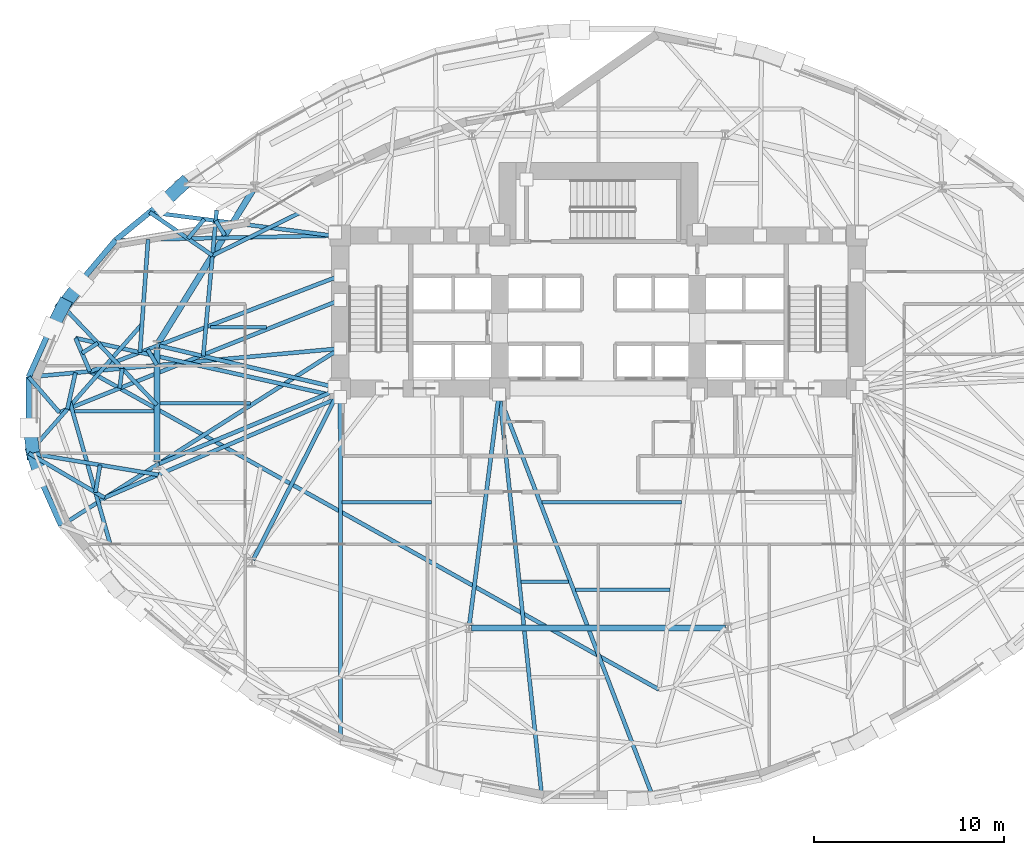
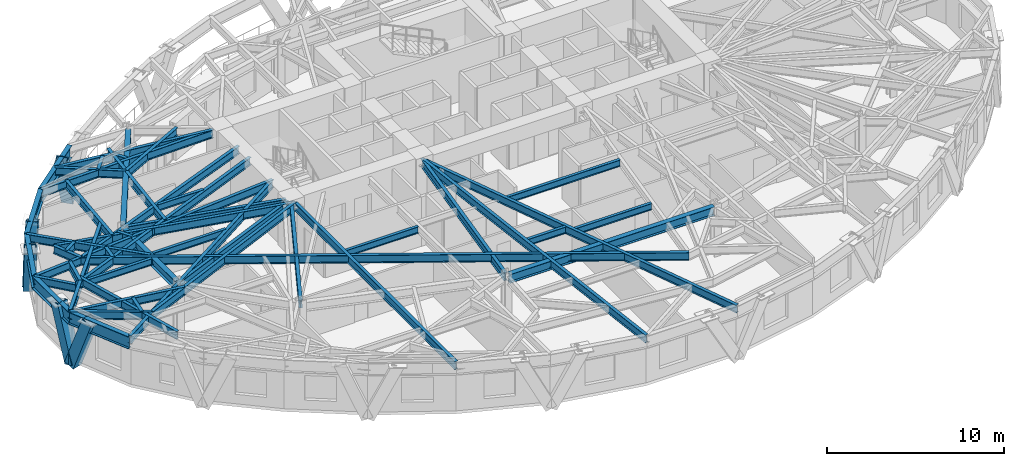
# One storey, part 2 of 17: 49 beams, 5 members.
"""IFC4 building model written with IfcOpenShell, lengths in metres."""

from ifc_helpers import new_model, si_unit, direction, frame, origin, origin_2d, place, context, subcontext, project, spatial, hollow_rectangle, i_section, extrude, material, material_profile, profile_set, type_object, element, save


model = new_model("IFC4")

# Units and contexts
model_context = context("Model", 3, precision=1e-05, world=origin(), true_north=direction((0.0, 1.0)))
body_context = subcontext(model_context, "Body", "Model", "MODEL_VIEW")
ifc_project = project(units=[si_unit("LENGTHUNIT", "METRE"), si_unit("AREAUNIT", "SQUARE_METRE"), si_unit("VOLUMEUNIT", "CUBIC_METRE"), si_unit("PLANEANGLEUNIT", "RADIAN"), si_unit("MASSUNIT", "GRAM", prefix="KILO")], contexts=[model_context])

# Site, building, storey
site_placement = place(None, origin())
site = spatial("IfcSite", under=ifc_project, at=site_placement, CompositionType="ELEMENT")
building_placement = place(site_placement, origin())
building = spatial("IfcBuilding", under=site, at=building_placement, Name="Keldmark Tower", CompositionType="ELEMENT")
storey_placement = place(building_placement, frame((0.0, 0.0, 70.199951171875)))
storey = spatial("IfcBuildingStorey", under=building, at=storey_placement, Name="L18", CompositionType="ELEMENT", Elevation=70.199951171875)

# Beams
ifc_material_1 = material(Name="Steel ASTM A992 Grade 50", Category="steel")
ifc_material_profile_1 = material_profile(ifc_material_1, i_section(OverallWidth=0.19091796875, OverallDepth=0.45703125, WebThickness=0.009033203125, FlangeThickness=0.014404296875, at=origin_2d()), Name="W18X50")
ifc_profile_set_1 = profile_set([ifc_material_profile_1], Name="Steel ASTM A992 Grade 50")
beam_type_1 = type_object("IfcBeamType", Name="Composite Floor Joist W18X50", PredefinedType="JOIST", material=ifc_profile_set_1)
beam_1_placement = place(storey_placement, frame((-4.077880859375, -8.780029296875, 3.171630859375), z_axis=(1.0, 0.0, 0.0), x_axis=(0.0, 1.0, 0.0)))
element("IfcBeam", 1, at=beam_1_placement, inside=storey, type_object=beam_type_1, Name="L18 Composite Floor Joist J05", PredefinedType="JOIST", context=body_context, shape_type="SweptSolid", body=[
    extrude(i_section(OverallWidth=0.19091796875, OverallDepth=0.45703125, WebThickness=0.009033203125, FlangeThickness=0.014404296875, at=origin_2d()), origin(), (0.0, 0.0, 1.0), 2.5009765625),
])
beam_2_placement = place(storey_placement, frame((-1.209716796875, -9.199951171875, 3.171630859375), z_axis=(1.0, 0.0, 0.0), x_axis=(0.0, 1.0, 0.0)))
element("IfcBeam", 2, at=beam_2_placement, inside=storey, type_object=beam_type_1, Name="L18 Composite Floor Joist J06", PredefinedType="JOIST", context=body_context, shape_type="SweptSolid", body=[
    extrude(i_section(OverallWidth=0.19091796875, OverallDepth=0.45703125, WebThickness=0.009033203125, FlangeThickness=0.014404296875, at=origin_2d()), origin(), (0.0, 0.0, 1.0), 4.9873046875),
])
beam_3_placement = place(storey_placement, frame((-13.501220703125, -4.60009765625, 3.171630859375), z_axis=(1.0, 0.0, 0.0), x_axis=(0.0, 1.0, 0.0)))
element("IfcBeam", 3, at=beam_3_placement, inside=storey, type_object=beam_type_1, Name="L18 Composite Floor Joist J10", PredefinedType="JOIST", context=body_context, shape_type="SweptSolid", body=[
    extrude(i_section(OverallWidth=0.19091796875, OverallDepth=0.45703125, WebThickness=0.009033203125, FlangeThickness=0.014404296875, at=origin_2d()), origin(), (0.0, 0.0, 1.0), 4.7138671875),
])
beam_4_placement = place(storey_placement, frame((-2.971435546875, -4.60009765625, 3.171630859375), z_axis=(1.0, 0.0, 0.0), x_axis=(0.0, 1.0, 0.0)))
element("IfcBeam", 4, at=beam_4_placement, inside=storey, type_object=beam_type_1, Name="L18 Composite Floor Joist J12", PredefinedType="JOIST", context=body_context, shape_type="SweptSolid", body=[
    extrude(i_section(OverallWidth=0.19091796875, OverallDepth=0.45703125, WebThickness=0.009033203125, FlangeThickness=0.014404296875, at=origin_2d()), origin(), (0.0, 0.0, 1.0), 7.349853515625),
])
beam_5_placement = place(storey_placement, frame((-27.5966796875, 0.199951171875, 3.171630859375), z_axis=(1.0, 0.0, 0.0), x_axis=(0.0, 1.0, 0.0)))
element("IfcBeam", 5, at=beam_5_placement, inside=storey, type_object=beam_type_1, Name="L18 Composite Floor Joist J16", PredefinedType="JOIST", context=body_context, shape_type="SweptSolid", body=[
    extrude(i_section(OverallWidth=0.19091796875, OverallDepth=0.45703125, WebThickness=0.009033203125, FlangeThickness=0.014404296875, at=origin_2d()), origin(), (0.0, 0.0, 1.0), 4.189697265625),
])
beam_6_placement = place(storey_placement, frame((-23.10107421875, 0.6201171875, 3.171630859375), z_axis=(1.0, 0.0, 0.0), x_axis=(0.0, 1.0, 0.0)))
element("IfcBeam", 6, at=beam_6_placement, inside=storey, type_object=beam_type_1, Name="L18 Composite Floor Joist J17", PredefinedType="JOIST", context=body_context, shape_type="SweptSolid", body=[
    extrude(i_section(OverallWidth=0.19091796875, OverallDepth=0.45703125, WebThickness=0.009033203125, FlangeThickness=0.014404296875, at=origin_2d()), origin(), (0.0, 0.0, 1.0), 4.7685546875),
])
beam_7_placement = place(storey_placement, frame((-20.423583984375, 4.6201171875, 3.171630859375), z_axis=(1.0, 0.0, 0.0), x_axis=(0.0, 1.0, 0.0)))
element("IfcBeam", 7, at=beam_7_placement, inside=storey, type_object=beam_type_1, Name="L18 Composite Floor Joist J19", PredefinedType="JOIST", context=body_context, shape_type="SweptSolid", body=[
    extrude(i_section(OverallWidth=0.19091796875, OverallDepth=0.45703125, WebThickness=0.009033203125, FlangeThickness=0.014404296875, at=origin_2d()), origin(), (0.0, 0.0, 1.0), 2.948974609375),
])

# Members
ifc_material_2 = material(Name="Steel ASTM A572 Grade 50", Category="steel")
ifc_material_profile_2 = material_profile(ifc_material_2, hollow_rectangle(XDim=0.699951171875, YDim=0.699951171875, WallThickness=0.054931640625, at=origin_2d()), Name="BOX700X700X55")
ifc_profile_set_2 = profile_set([ifc_material_profile_2], Name="Steel ASTM A572 Grade 50")
member_type = type_object("IfcMemberType", Name="Diagrid Zone 1 Brace BOX700X700X55", PredefinedType="BRACE", material=ifc_profile_set_2)
member_1_placement = place(storey_placement, frame((-21.886474609375, 12.167236328125, -0.280029296875), z_axis=(-0.284762912744, -0.266831057485, 0.920712371095), x_axis=(0.68375811759, -0.729708734106, 0.0)))
element("IfcMember", 8, at=member_1_placement, inside=storey, type_object=member_type, Name="L18 Perimeter Diagrid Brace 07A", PredefinedType="BRACE", context=body_context, shape_type="SweptSolid", body=[
    extrude(hollow_rectangle(XDim=0.699951171875, YDim=0.699951171875, WallThickness=0.054931640625, at=origin_2d()), origin(), (0.0, 0.0, 1.0), 3.86669921875),
])
member_2_placement = place(storey_placement, frame((-28.1669921875, 5.7763671875, -0.280029296875), z_axis=(0.229046719928, 0.298618469809, 0.926479686544), x_axis=(-0.793470479342, 0.608608740006, 0.0)))
element("IfcMember", 9, at=member_2_placement, inside=storey, type_object=member_type, Name="L18 Perimeter Diagrid Brace 07B", PredefinedType="BRACE", context=body_context, shape_type="SweptSolid", body=[
    extrude(hollow_rectangle(XDim=0.699951171875, YDim=0.699951171875, WallThickness=0.054931640625, at=origin_2d()), origin(), (0.0, 0.0, 1.0), 3.842529296875),
])
member_3_placement = place(storey_placement, frame((-28.16259765625, 5.787109375, -0.280029296875), z_axis=(-0.168600642069, -0.328022269977, 0.929502670191), x_axis=(0.889394222304, -0.45714102565, 0.0)))
element("IfcMember", 10, at=member_3_placement, inside=storey, type_object=member_type, Name="L18 Perimeter Diagrid Brace 08A", PredefinedType="BRACE", context=body_context, shape_type="SweptSolid", body=[
    extrude(hollow_rectangle(XDim=0.699951171875, YDim=0.699951171875, WallThickness=0.054931640625, at=origin_2d()), origin(), (0.0, 0.0, 1.0), 3.830078125),
])
member_4_placement = place(storey_placement, frame((-29.77587890625, -1.99853515625, -0.280029296875), z_axis=(-0.044304352331, 0.348399153259, 0.936298645931), x_axis=(-0.992011228554, -0.126149603336, 0.0)))
element("IfcMember", 11, at=member_4_placement, inside=storey, type_object=member_type, Name="L18 Perimeter Diagrid Brace 08B", PredefinedType="BRACE", context=body_context, shape_type="SweptSolid", body=[
    extrude(hollow_rectangle(XDim=0.699951171875, YDim=0.699951171875, WallThickness=0.054931640625, at=origin_2d()), origin(), (0.0, 0.0, 1.0), 3.80224609375),
])
member_5_placement = place(storey_placement, frame((-29.77587890625, -1.98681640625, -0.280029296875), z_axis=(0.10528035046, -0.33720507131, 0.935525941751), x_axis=(0.954557502887, 0.298026800274, 0.0)))
element("IfcMember", 12, at=member_5_placement, inside=storey, type_object=member_type, Name="L18 Perimeter Diagrid Brace 09A", PredefinedType="BRACE", context=body_context, shape_type="SweptSolid", body=[
    extrude(hollow_rectangle(XDim=0.699951171875, YDim=0.699951171875, WallThickness=0.054931640625, at=origin_2d()), origin(), (0.0, 0.0, 1.0), 3.805419921875),
])

# Beams
ifc_material_3 = material(Name="Steel ASTM A992 Grade 50", Category="steel")
ifc_material_profile_3 = material_profile(ifc_material_3, i_section(OverallWidth=0.323974609375, OverallDepth=0.611083984375, WebThickness=0.0126953125, FlangeThickness=0.01904296875, at=origin_2d()), Name="W24X104")
ifc_profile_set_3 = profile_set([ifc_material_profile_3], Name="Steel ASTM A992 Grade 50")
beam_type_2 = type_object("IfcBeamType", Name="Primary Floor Girder W24X104", PredefinedType="BEAM", material=ifc_profile_set_3)
beam_8_placement = place(storey_placement, frame((-18.17138671875, 11.888427734375, 3.094482421875), z_axis=(-0.526318405849, -0.850287560573, 0.0), x_axis=(0.850287560573, -0.526318405849, 0.0)))
element("IfcBeam", 13, at=beam_8_placement, inside=storey, type_object=beam_type_2, Name="L18 Floor Ring Girder FG-R05", PredefinedType="BEAM", context=body_context, shape_type="SweptSolid", body=[
    extrude(i_section(OverallWidth=0.323974609375, OverallDepth=0.611083984375, WebThickness=0.0126953125, FlangeThickness=0.01904296875, at=origin_2d()), origin(), (0.0, 0.0, 1.0), 9.51708984375),
])
beam_9_placement = place(storey_placement, frame((-23.25390625, 3.537109375, 3.094482421875), z_axis=(0.0, -1.0, 0.0), x_axis=(1.0, 0.0, 0.0)))
element("IfcBeam", 14, at=beam_9_placement, inside=storey, type_object=beam_type_2, Name="L18 Floor Ring Girder FG-R06", PredefinedType="BEAM", context=body_context, shape_type="SweptSolid", body=[
    extrude(i_section(OverallWidth=0.323974609375, OverallDepth=0.611083984375, WebThickness=0.0126953125, FlangeThickness=0.01904296875, at=origin_2d()), origin(), (0.0, 0.0, 1.0), 6.01025390625),
])
beam_10_placement = place(storey_placement, frame((-6.68212890625, -11.205810546875, 3.094482421875), z_axis=(1.0, 0.0, 0.0), x_axis=(0.0, 1.0, 0.0)))
element("IfcBeam", 15, at=beam_10_placement, inside=storey, type_object=beam_type_2, Name="L18 Floor Ring Girder FG-R09", PredefinedType="BEAM", context=body_context, shape_type="SweptSolid", body=[
    extrude(i_section(OverallWidth=0.323974609375, OverallDepth=0.611083984375, WebThickness=0.0126953125, FlangeThickness=0.01904296875, at=origin_2d()), origin(), (0.0, 0.0, 1.0), 13.3642578125),
])
ifc_material_4 = material(Name="Steel ASTM A992 Grade 50", Category="steel")
ifc_material_profile_4 = material_profile(ifc_material_4, i_section(OverallWidth=0.2099609375, OverallDepth=0.537109375, WebThickness=0.010986328125, FlangeThickness=0.017333984375, at=origin_2d()), Name="W21X68")
ifc_profile_set_4 = profile_set([ifc_material_profile_4], Name="Steel ASTM A992 Grade 50")
beam_type_3 = type_object("IfcBeamType", Name="Radial Tie Girder W21X68", PredefinedType="BEAM", material=ifc_profile_set_4)
beam_11_placement = place(storey_placement, frame((-15.72216796875, 10.65673828125, 3.131591796875), z_axis=(-0.898316295286, -0.439349329832, 0.0), x_axis=(0.439349329832, -0.898316295286, 0.0)))
element("IfcBeam", 16, at=beam_11_placement, inside=storey, type_object=beam_type_3, Name="L18 Framing Pin Header PH-004", PredefinedType="BEAM", context=body_context, shape_type="SweptSolid", body=[
    extrude(i_section(OverallWidth=0.2099609375, OverallDepth=0.537109375, WebThickness=0.010986328125, FlangeThickness=0.017333984375, at=origin_2d()), origin(), (0.0, 0.0, 1.0), 5.12744140625),
])
beam_12_placement = place(storey_placement, frame((-20.816162109375, 3.102294921875, 3.131591796875), z_axis=(0.091667937823, 0.995789630984, 0.0), x_axis=(-0.995789630984, 0.091667937823, 0.0)))
element("IfcBeam", 17, at=beam_12_placement, inside=storey, type_object=beam_type_3, Name="L18 Sub-Ring Step Girder STP1-M06", PredefinedType="BEAM", context=body_context, shape_type="SweptSolid", body=[
    extrude(i_section(OverallWidth=0.2099609375, OverallDepth=0.537109375, WebThickness=0.010986328125, FlangeThickness=0.017333984375, at=origin_2d()), origin(), (0.0, 0.0, 1.0), 7.71826171875),
])
beam_13_placement = place(storey_placement, frame((-23.25390625, 2.635498046875, 3.131591796875), z_axis=(-0.514156651205, 0.857696297078, 0.0), x_axis=(-0.857696297078, -0.514156651205, 0.0)))
element("IfcBeam", 18, at=beam_13_placement, inside=storey, type_object=beam_type_3, Name="L18 Framing Pin Header PH-007", PredefinedType="BEAM", context=body_context, shape_type="SweptSolid", body=[
    extrude(i_section(OverallWidth=0.2099609375, OverallDepth=0.537109375, WebThickness=0.010986328125, FlangeThickness=0.017333984375, at=origin_2d()), origin(), (0.0, 0.0, 1.0), 0.952880859375),
])
beam_14_placement = place(storey_placement, frame((-13.60009765625, 7.343017578125, 3.131591796875), z_axis=(-0.933701225178, -0.358053099555, 0.0), x_axis=(0.358053099555, -0.933701225178, 0.0)))
element("IfcBeam", 19, at=beam_14_placement, inside=storey, type_object=beam_type_3, Name="L18 Sub-Ring Step Girder STP2-M07", PredefinedType="BEAM", context=body_context, shape_type="SweptSolid", body=[
    extrude(i_section(OverallWidth=0.2099609375, OverallDepth=0.537109375, WebThickness=0.010986328125, FlangeThickness=0.017333984375, at=origin_2d()), origin(), (0.0, 0.0, 1.0), 14.119140625),
])
beam_15_placement = place(storey_placement, frame((-26.783203125, 2.28759765625, 3.131591796875), z_axis=(0.873009651304, -0.487702930819, 0.0), x_axis=(0.487702930819, 0.873009651304, 0.0)))
element("IfcBeam", 20, at=beam_15_placement, inside=storey, type_object=beam_type_3, Name="L18 Perimeter Collector Ring Beam CRG2-M07", PredefinedType="BEAM", context=body_context, shape_type="SweptSolid", body=[
    extrude(i_section(OverallWidth=0.2099609375, OverallDepth=0.537109375, WebThickness=0.010986328125, FlangeThickness=0.017333984375, at=origin_2d()), origin(), (0.0, 0.0, 1.0), 34.3310546875),
])
beam_16_placement = place(storey_placement, frame((-19.674072265625, 9.460693359375, 3.131591796875), z_axis=(-0.53021468629, 0.847863424404, 0.0), x_axis=(-0.847863424404, -0.53021468629, 0.0)))
element("IfcBeam", 21, at=beam_16_placement, inside=storey, type_object=beam_type_3, Name="L18 Framing Pin Header PH-023", PredefinedType="BEAM", context=body_context, shape_type="SweptSolid", body=[
    extrude(i_section(OverallWidth=0.2099609375, OverallDepth=0.537109375, WebThickness=0.010986328125, FlangeThickness=0.017333984375, at=origin_2d()), origin(), (0.0, 0.0, 1.0), 0.915283203125),
])
beam_17_placement = place(storey_placement, frame((-14.050048828125, 9.449951171875, 3.131591796875), z_axis=(-0.99180753315, 0.127741211783, 0.0), x_axis=(-0.127741211783, -0.99180753315, 0.0)))
element("IfcBeam", 22, at=beam_17_placement, inside=storey, type_object=beam_type_3, Name="L18 Intermediate Radial Step Girder RT-14M", PredefinedType="BEAM", context=body_context, shape_type="SweptSolid", body=[
    extrude(i_section(OverallWidth=0.2099609375, OverallDepth=0.537109375, WebThickness=0.010986328125, FlangeThickness=0.017333984375, at=origin_2d()), origin(), (0.0, 0.0, 1.0), 9.6611328125),
])
beam_18_placement = place(storey_placement, frame((-20.328125, 8.404052734375, 3.131591796875), z_axis=(-0.823045146227, 0.567975956596, 0.0), x_axis=(-0.567975956596, -0.823045146227, 0.0)))
element("IfcBeam", 23, at=beam_18_placement, inside=storey, type_object=beam_type_3, Name="L18 Local Collector Chord RT-14C", PredefinedType="BEAM", context=body_context, shape_type="SweptSolid", body=[
    extrude(i_section(OverallWidth=0.2099609375, OverallDepth=0.537109375, WebThickness=0.010986328125, FlangeThickness=0.017333984375, at=origin_2d()), origin(), (0.0, 0.0, 1.0), 4.014404296875),
])
beam_19_placement = place(storey_placement, frame((-20.75732421875, 10.313720703125, 3.131591796875), z_axis=(-0.644834195609, -0.764322484409, 0.0), x_axis=(0.764322484409, -0.644834195609, 0.0)))
element("IfcBeam", 24, at=beam_19_placement, inside=storey, type_object=beam_type_3, Name="L18 Framing Pin Header PH-024", PredefinedType="BEAM", context=body_context, shape_type="SweptSolid", body=[
    extrude(i_section(OverallWidth=0.2099609375, OverallDepth=0.537109375, WebThickness=0.010986328125, FlangeThickness=0.017333984375, at=origin_2d()), origin(), (0.0, 0.0, 1.0), 1.334228515625),
])
beam_20_placement = place(storey_placement, frame((-14.050048828125, 9.449951171875, 3.131591796875), z_axis=(-0.999787382199, -0.020620145387, 0.0), x_axis=(0.020620145387, -0.999787382199, 0.0)))
element("IfcBeam", 25, at=beam_20_placement, inside=storey, type_object=beam_type_3, Name="L18 Perimeter Radial Tie Girder RT-14", PredefinedType="BEAM", context=body_context, shape_type="SweptSolid", body=[
    extrude(i_section(OverallWidth=0.2099609375, OverallDepth=0.537109375, WebThickness=0.010986328125, FlangeThickness=0.017333984375, at=origin_2d()), origin(), (0.0, 0.0, 1.0), 11.378173828125),
])
beam_21_placement = place(storey_placement, frame((-23.719482421875, 9.25048828125, 3.131591796875), z_axis=(-0.071598861281, -0.997433508091, 0.0), x_axis=(0.997433508091, -0.071598861281, 0.0)))
element("IfcBeam", 26, at=beam_21_placement, inside=storey, type_object=beam_type_3, Name="L18 Framing Pin Header PH-025", PredefinedType="BEAM", context=body_context, shape_type="SweptSolid", body=[
    extrude(i_section(OverallWidth=0.2099609375, OverallDepth=0.537109375, WebThickness=0.010986328125, FlangeThickness=0.017333984375, at=origin_2d()), origin(), (0.0, 0.0, 1.0), 5.96728515625),
])
beam_22_placement = place(storey_placement, frame((-13.60009765625, 0.949951171875, 3.131591796875), z_axis=(-0.976093649315, 0.217350380185, 0.0), x_axis=(-0.217350380185, -0.976093649315, 0.0)))
element("IfcBeam", 27, at=beam_22_placement, inside=storey, type_object=beam_type_3, Name="L18 Intermediate Radial Step Girder RT-15M", PredefinedType="BEAM", context=body_context, shape_type="SweptSolid", body=[
    extrude(i_section(OverallWidth=0.2099609375, OverallDepth=0.537109375, WebThickness=0.010986328125, FlangeThickness=0.017333984375, at=origin_2d()), origin(), (0.0, 0.0, 1.0), 14.281005859375),
])
beam_23_placement = place(storey_placement, frame((-26.783203125, 2.28759765625, 3.131591796875), z_axis=(-0.39373528381, 0.919223871689, 0.0), x_axis=(-0.919223871689, -0.39373528381, 0.0)))
element("IfcBeam", 28, at=beam_23_placement, inside=storey, type_object=beam_type_3, Name="L18 Local Collector Chord RT-15C", PredefinedType="BEAM", context=body_context, shape_type="SweptSolid", body=[
    extrude(i_section(OverallWidth=0.2099609375, OverallDepth=0.537109375, WebThickness=0.010986328125, FlangeThickness=0.017333984375, at=origin_2d()), origin(), (0.0, 0.0, 1.0), 1.921630859375),
])
beam_24_placement = place(storey_placement, frame((-27.199462890625, 3.259033203125, 3.131591796875), z_axis=(0.843671618646, 0.536859571854, 0.0), x_axis=(-0.536859571854, 0.843671618646, 0.0)))
element("IfcBeam", 29, at=beam_24_placement, inside=storey, type_object=beam_type_3, Name="L18 Framing Pin Header PH-026", PredefinedType="BEAM", context=body_context, shape_type="SweptSolid", body=[
    extrude(i_section(OverallWidth=0.2099609375, OverallDepth=0.537109375, WebThickness=0.010986328125, FlangeThickness=0.017333984375, at=origin_2d()), origin(), (0.0, 0.0, 1.0), 0.9921875),
])
beam_25_placement = place(storey_placement, frame((-23.25390625, 0.531982421875, 3.131591796875), z_axis=(-0.690101380348, 0.723712708774, 0.0), x_axis=(-0.723712708774, -0.690101380348, 0.0)))
element("IfcBeam", 30, at=beam_25_placement, inside=storey, type_object=beam_type_3, Name="L18 Perimeter Radial Tie Girder RT-15", PredefinedType="BEAM", context=body_context, shape_type="SweptSolid", body=[
    extrude(i_section(OverallWidth=0.2099609375, OverallDepth=0.537109375, WebThickness=0.010986328125, FlangeThickness=0.017333984375, at=origin_2d()), origin(), (0.0, 0.0, 1.0), 7.30712890625),
])
beam_26_placement = place(storey_placement, frame((-13.60009765625, 3.507080078125, 3.131591796875), z_axis=(-0.995827834335, -0.091251982795, 0.0), x_axis=(0.091251982795, -0.995827834335, 0.0)))
element("IfcBeam", 31, at=beam_26_placement, inside=storey, type_object=beam_type_3, Name="L18 Perimeter Radial Tie Girder RT-16", PredefinedType="BEAM", context=body_context, shape_type="SweptSolid", body=[
    extrude(i_section(OverallWidth=0.2099609375, OverallDepth=0.537109375, WebThickness=0.010986328125, FlangeThickness=0.017333984375, at=origin_2d()), origin(), (0.0, 0.0, 1.0), 16.472900390625),
])
beam_27_placement = place(storey_placement, frame((-25.0830078125, 2.454833984375, 3.131591796875), z_axis=(-0.128524398864, -0.991706347109, 0.0), x_axis=(0.991706347109, -0.128524398864, 0.0)))
element("IfcBeam", 32, at=beam_27_placement, inside=storey, type_object=beam_type_3, Name="L18 Framing Pin Header PH-027", PredefinedType="BEAM", context=body_context, shape_type="SweptSolid", body=[
    extrude(i_section(OverallWidth=0.2099609375, OverallDepth=0.537109375, WebThickness=0.010986328125, FlangeThickness=0.017333984375, at=origin_2d()), origin(), (0.0, 0.0, 1.0), 1.050537109375),
])
beam_28_placement = place(storey_placement, frame((-13.60009765625, 6.064208984375, 3.131591796875), z_axis=(-0.92837099181, -0.371654815072, 0.0), x_axis=(0.371654815072, -0.92837099181, 0.0)))
element("IfcBeam", 33, at=beam_28_placement, inside=storey, type_object=beam_type_3, Name="L18 Intermediate Radial Step Girder RT-17M", PredefinedType="BEAM", context=body_context, shape_type="SweptSolid", body=[
    extrude(i_section(OverallWidth=0.2099609375, OverallDepth=0.537109375, WebThickness=0.010986328125, FlangeThickness=0.017333984375, at=origin_2d()), origin(), (0.0, 0.0, 1.0), 15.93505859375),
])
beam_29_placement = place(storey_placement, frame((-30.004150390625, 2.00390625, 3.131591796875), z_axis=(0.65413353239, -0.756379086043, 0.0), x_axis=(0.756379086043, 0.65413353239, 0.0)))
element("IfcBeam", 34, at=beam_29_placement, inside=storey, type_object=beam_type_3, Name="L18 Local Collector Chord RT-17C", PredefinedType="BEAM", context=body_context, shape_type="SweptSolid", body=[
    extrude(i_section(OverallWidth=0.2099609375, OverallDepth=0.537109375, WebThickness=0.010986328125, FlangeThickness=0.017333984375, at=origin_2d()), origin(), (0.0, 0.0, 1.0), 2.4619140625),
])
beam_30_placement = place(storey_placement, frame((-27.54345703125, 2.229248046875, 3.131591796875), z_axis=(-0.217430336433, -0.976075841725, 0.0), x_axis=(0.976075841725, -0.217430336433, 0.0)))
element("IfcBeam", 35, at=beam_30_placement, inside=storey, type_object=beam_type_3, Name="L18 Framing Pin Header PH-028", PredefinedType="BEAM", context=body_context, shape_type="SweptSolid", body=[
    extrude(i_section(OverallWidth=0.2099609375, OverallDepth=0.537109375, WebThickness=0.010986328125, FlangeThickness=0.017333984375, at=origin_2d()), origin(), (0.0, 0.0, 1.0), 1.965087890625),
])
beam_31_placement = place(storey_placement, frame((-24.0400390625, 4.78662109375, 3.131591796875), z_axis=(-0.659907196231, -0.751347118423, 0.0), x_axis=(0.751347118423, -0.659907196231, 0.0)))
element("IfcBeam", 36, at=beam_31_placement, inside=storey, type_object=beam_type_3, Name="L18 Perimeter Radial Tie Girder RT-17", PredefinedType="BEAM", context=body_context, shape_type="SweptSolid", body=[
    extrude(i_section(OverallWidth=0.2099609375, OverallDepth=0.537109375, WebThickness=0.010986328125, FlangeThickness=0.017333984375, at=origin_2d()), origin(), (0.0, 0.0, 1.0), 9.037841796875),
])
beam_32_placement = place(storey_placement, frame((-30.004150390625, -2.00390625, 3.131591796875), z_axis=(0.98635575411, -0.164627841919, 0.0), x_axis=(0.164627841919, 0.98635575411, 0.0)))
element("IfcBeam", 37, at=beam_32_placement, inside=storey, type_object=beam_type_3, Name="L18 Framing Pin Header PH-029", PredefinedType="BEAM", context=body_context, shape_type="SweptSolid", body=[
    extrude(i_section(OverallWidth=0.2099609375, OverallDepth=0.537109375, WebThickness=0.010986328125, FlangeThickness=0.017333984375, at=origin_2d()), origin(), (0.0, 0.0, 1.0), 6.919677734375),
])
beam_33_placement = place(storey_placement, frame((-13.60009765625, 0.949951171875, 3.131591796875), z_axis=(-0.919568265214, -0.392930280854, 0.0), x_axis=(0.392930280854, -0.919568265214, 0.0)))
element("IfcBeam", 38, at=beam_33_placement, inside=storey, type_object=beam_type_3, Name="L18 Intermediate Radial Step Girder RT-18M", PredefinedType="BEAM", context=body_context, shape_type="SweptSolid", body=[
    extrude(i_section(OverallWidth=0.2099609375, OverallDepth=0.537109375, WebThickness=0.010986328125, FlangeThickness=0.017333984375, at=origin_2d()), origin(), (0.0, 0.0, 1.0), 13.4990234375),
])
beam_34_placement = place(storey_placement, frame((-30.004150390625, -2.00390625, 3.131591796875), z_axis=(0.861664424791, -0.507478491219, 0.0), x_axis=(0.507478491219, 0.861664424791, 0.0)))
element("IfcBeam", 39, at=beam_34_placement, inside=storey, type_object=beam_type_3, Name="L18 Local Collector Chord RT-18C", PredefinedType="BEAM", context=body_context, shape_type="SweptSolid", body=[
    extrude(i_section(OverallWidth=0.2099609375, OverallDepth=0.537109375, WebThickness=0.010986328125, FlangeThickness=0.017333984375, at=origin_2d()), origin(), (0.0, 0.0, 1.0), 4.63134765625),
])
beam_35_placement = place(storey_placement, frame((-13.60009765625, 3.507080078125, 3.131591796875), z_axis=(-0.844310017236, -0.535855012849, 0.0), x_axis=(0.535855012849, -0.844310017236, 0.0)))
element("IfcBeam", 40, at=beam_35_placement, inside=storey, type_object=beam_type_3, Name="L18 Perimeter Radial Tie Girder RT-18", PredefinedType="BEAM", context=body_context, shape_type="SweptSolid", body=[
    extrude(i_section(OverallWidth=0.2099609375, OverallDepth=0.537109375, WebThickness=0.010986328125, FlangeThickness=0.017333984375, at=origin_2d()), origin(), (0.0, 0.0, 1.0), 17.406494140625),
])
beam_36_placement = place(storey_placement, frame((-26.250244140625, -2.63037109375, 3.131591796875), z_axis=(-0.161370488683, -0.986893897733, 0.0), x_axis=(0.986893897733, -0.161370488683, 0.0)))
element("IfcBeam", 41, at=beam_36_placement, inside=storey, type_object=beam_type_3, Name="L18 Framing Pin Header PH-030", PredefinedType="BEAM", context=body_context, shape_type="SweptSolid", body=[
    extrude(i_section(OverallWidth=0.2099609375, OverallDepth=0.537109375, WebThickness=0.010986328125, FlangeThickness=0.017333984375, at=origin_2d()), origin(), (0.0, 0.0, 1.0), 1.464599609375),
])
beam_37_placement = place(storey_placement, frame((-27.864013671875, 0.790771484375, 3.131591796875), z_axis=(0.272349008041, -0.962198533474, 0.0), x_axis=(0.962198533474, 0.272349008041, 0.0)))
element("IfcBeam", 42, at=beam_37_placement, inside=storey, type_object=beam_type_3, Name="L18 Intermediate Radial Step Girder RT-19M", PredefinedType="BEAM", context=body_context, shape_type="SweptSolid", body=[
    extrude(i_section(OverallWidth=0.2099609375, OverallDepth=0.537109375, WebThickness=0.010986328125, FlangeThickness=0.017333984375, at=origin_2d()), origin(), (0.0, 0.0, 1.0), 7.873291015625),
])
beam_38_placement = place(storey_placement, frame((-13.60009765625, 0.949951171875, 3.131591796875), z_axis=(0.000536840615, -0.999999855901, 0.0), x_axis=(0.999999855901, 0.000536840615, 0.0)))
element("IfcBeam", 43, at=beam_38_placement, inside=storey, type_object=beam_type_3, Name="L18 Perimeter Radial Tie Girder RT-22R", PredefinedType="BEAM", context=body_context, shape_type="SweptSolid", body=[
    extrude(i_section(OverallWidth=0.2099609375, OverallDepth=0.537109375, WebThickness=0.010986328125, FlangeThickness=0.017333984375, at=origin_2d()), origin(), (0.0, 0.0, 1.0), 18.19091796875),
])
beam_39_placement = place(storey_placement, frame((-5.199951171875, 0.949951171875, 3.131591796875), z_axis=(0.104836125542, -0.994489510644, 0.0), x_axis=(0.994489510644, 0.104836125542, 0.0)))
element("IfcBeam", 44, at=beam_39_placement, inside=storey, type_object=beam_type_3, Name="L18 Perimeter Radial Tie Girder RT-24R", PredefinedType="BEAM", context=body_context, shape_type="SweptSolid", body=[
    extrude(i_section(OverallWidth=0.2099609375, OverallDepth=0.537109375, WebThickness=0.010986328125, FlangeThickness=0.017333984375, at=origin_2d()), origin(), (0.0, 0.0, 1.0), 21.4130859375),
])
beam_40_placement = place(storey_placement, frame((-5.199951171875, 0.949951171875, 3.131591796875), z_axis=(0.357625612801, -0.933865044355, 0.0), x_axis=(0.933865044355, 0.357625612801, 0.0)))
element("IfcBeam", 45, at=beam_40_placement, inside=storey, type_object=beam_type_3, Name="L18 Perimeter Radial Tie Girder RT-25R", PredefinedType="BEAM", context=body_context, shape_type="SweptSolid", body=[
    extrude(i_section(OverallWidth=0.2099609375, OverallDepth=0.537109375, WebThickness=0.010986328125, FlangeThickness=0.017333984375, at=origin_2d()), origin(), (0.0, 0.0, 1.0), 22.80322265625),
])
ifc_material_5 = material(Name="Steel ASTM A992 Grade 50", Category="steel")
ifc_material_profile_5 = material_profile(ifc_material_5, i_section(OverallWidth=0.214111328125, OverallDepth=0.549072265625, WebThickness=0.0146484375, FlangeThickness=0.023681640625, at=origin_2d()), Name="W21X93")
ifc_profile_set_5 = profile_set([ifc_material_profile_5], Name="Steel ASTM A992 Grade 50")
beam_type_4 = type_object("IfcBeamType", Name="Radial Tie Girder W21X93", PredefinedType="BEAM", material=ifc_profile_set_5)
beam_41_placement = place(storey_placement, frame((-23.11767578125, 3.64501953125, 3.12548828125), z_axis=(0.973287364179, -0.229590301909, 0.0), x_axis=(0.229590301909, 0.973287364179, 0.0)))
element("IfcBeam", 46, at=beam_41_placement, inside=storey, type_object=beam_type_4, Name="L18 Floor Radial Girder FG-C06", PredefinedType="BEAM", context=body_context, shape_type="SweptSolid", body=[
    extrude(i_section(OverallWidth=0.214111328125, OverallDepth=0.549072265625, WebThickness=0.0146484375, FlangeThickness=0.023681640625, at=origin_2d()), origin(), (0.0, 0.0, 1.0), 9.458740234375),
])
beam_42_placement = place(storey_placement, frame((-23.124755859375, -2.5595703125, 3.12548828125), z_axis=(0.923390978102, 0.383860784088, 0.0), x_axis=(-0.383860784088, 0.923390978102, 0.0)))
element("IfcBeam", 47, at=beam_42_placement, inside=storey, type_object=beam_type_4, Name="L18 Floor Radial Girder FG-C07", PredefinedType="BEAM", context=body_context, shape_type="SweptSolid", body=[
    extrude(i_section(OverallWidth=0.214111328125, OverallDepth=0.549072265625, WebThickness=0.0146484375, FlangeThickness=0.023681640625, at=origin_2d()), origin(), (0.0, 0.0, 1.0), 9.994873046875),
])
beam_43_placement = place(storey_placement, frame((-18.189453125, -7.630859375, 3.12548828125), z_axis=(0.453037526986, 0.891491446478, 0.0), x_axis=(-0.891491446478, 0.453037526986, 0.0)))
element("IfcBeam", 48, at=beam_43_placement, inside=storey, type_object=beam_type_4, Name="L18 Floor Radial Girder FG-C08", PredefinedType="BEAM", context=body_context, shape_type="SweptSolid", body=[
    extrude(i_section(OverallWidth=0.214111328125, OverallDepth=0.549072265625, WebThickness=0.0146484375, FlangeThickness=0.023681640625, at=origin_2d()), origin(), (0.0, 0.0, 1.0), 9.81005859375),
])
beam_44_placement = place(storey_placement, frame((-6.80419921875, -11.06689453125, 3.12548828125), z_axis=(0.127634898593, 0.99182122011, 0.0), x_axis=(-0.99182122011, 0.127634898593, 0.0)))
element("IfcBeam", 49, at=beam_44_placement, inside=storey, type_object=beam_type_4, Name="L18 Floor Radial Girder FG-C09", PredefinedType="BEAM", context=body_context, shape_type="SweptSolid", body=[
    extrude(i_section(OverallWidth=0.214111328125, OverallDepth=0.549072265625, WebThickness=0.0146484375, FlangeThickness=0.023681640625, at=origin_2d()), origin(), (0.0, 0.0, 1.0), 12.24951171875),
])
ifc_material_6 = material(Name="Steel ASTM A992 Grade 50", Category="steel")
ifc_material_profile_6 = material_profile(ifc_material_6, i_section(OverallWidth=0.2919921875, OverallDepth=0.85888671875, WebThickness=0.01708984375, FlangeThickness=0.031005859375, at=origin_2d()), Name="W33X169")
ifc_profile_set_6 = profile_set([ifc_material_profile_6], Name="Steel ASTM A992 Grade 50")
beam_type_5 = type_object("IfcBeamType", Name="Spandrel Ring Beam W33X169", PredefinedType="SPANDREL", material=ifc_profile_set_6)
beam_45_placement = place(storey_placement, frame((-21.838134765625, 12.152587890625, 2.970458984375), z_axis=(-0.773755505178, -0.633484347247, 0.0), x_axis=(0.633484347247, -0.773755505178, 0.0)))
element("IfcBeam", 50, at=beam_45_placement, inside=storey, type_object=beam_type_5, Name="L18 Perimeter Spandrel Ring Beam SRB-13", PredefinedType="SPANDREL", context=body_context, shape_type="SweptSolid", body=[
    extrude(i_section(OverallWidth=0.2919921875, OverallDepth=0.85888671875, WebThickness=0.01708984375, FlangeThickness=0.031005859375, at=origin_2d()), origin(), (0.0, 0.0, 1.0), 4.63671875),
])
beam_46_placement = place(storey_placement, frame((-25.42578125, 9.21533203125, 2.970458984375), z_axis=(-0.645698517297, -0.763592446767, 0.0), x_axis=(0.763592446767, -0.645698517297, 0.0)))
element("IfcBeam", 51, at=beam_46_placement, inside=storey, type_object=beam_type_5, Name="L18 Perimeter Spandrel Ring Beam SRB-14", PredefinedType="SPANDREL", context=body_context, shape_type="SweptSolid", body=[
    extrude(i_section(OverallWidth=0.2919921875, OverallDepth=0.85888671875, WebThickness=0.01708984375, FlangeThickness=0.031005859375, at=origin_2d()), origin(), (0.0, 0.0, 1.0), 4.446044921875),
])
beam_47_placement = place(storey_placement, frame((-28.296630859375, 5.8203125, 2.970458984375), z_axis=(-0.408401911068, -0.912802212441, 0.0), x_axis=(0.912802212441, -0.408401911068, 0.0)))
element("IfcBeam", 52, at=beam_47_placement, inside=storey, type_object=beam_type_5, Name="L18 Perimeter Spandrel Ring Beam SRB-15", PredefinedType="SPANDREL", context=body_context, shape_type="SweptSolid", body=[
    extrude(i_section(OverallWidth=0.2919921875, OverallDepth=0.85888671875, WebThickness=0.01708984375, FlangeThickness=0.031005859375, at=origin_2d()), origin(), (0.0, 0.0, 1.0), 4.180908203125),
])
beam_48_placement = place(storey_placement, frame((-30.004150390625, 2.00390625, 2.970458984375), z_axis=(0.0, -1.0, 0.0), x_axis=(1.0, 0.0, 0.0)))
element("IfcBeam", 53, at=beam_48_placement, inside=storey, type_object=beam_type_5, Name="L18 Perimeter Spandrel Ring Beam SRB-16", PredefinedType="SPANDREL", context=body_context, shape_type="SweptSolid", body=[
    extrude(i_section(OverallWidth=0.2919921875, OverallDepth=0.85888671875, WebThickness=0.01708984375, FlangeThickness=0.031005859375, at=origin_2d()), origin(), (0.0, 0.0, 1.0), 4.0078125),
])
beam_49_placement = place(storey_placement, frame((-30.004150390625, -2.00390625, 2.970458984375), z_axis=(0.408401911068, -0.912802212441, 0.0), x_axis=(0.912802212441, 0.408401911068, 0.0)))
element("IfcBeam", 54, at=beam_49_placement, inside=storey, type_object=beam_type_5, Name="L18 Perimeter Spandrel Ring Beam SRB-17", PredefinedType="SPANDREL", context=body_context, shape_type="SweptSolid", body=[
    extrude(i_section(OverallWidth=0.2919921875, OverallDepth=0.85888671875, WebThickness=0.01708984375, FlangeThickness=0.031005859375, at=origin_2d()), origin(), (0.0, 0.0, 1.0), 4.180908203125),
])

save(model, "model.ifc")
